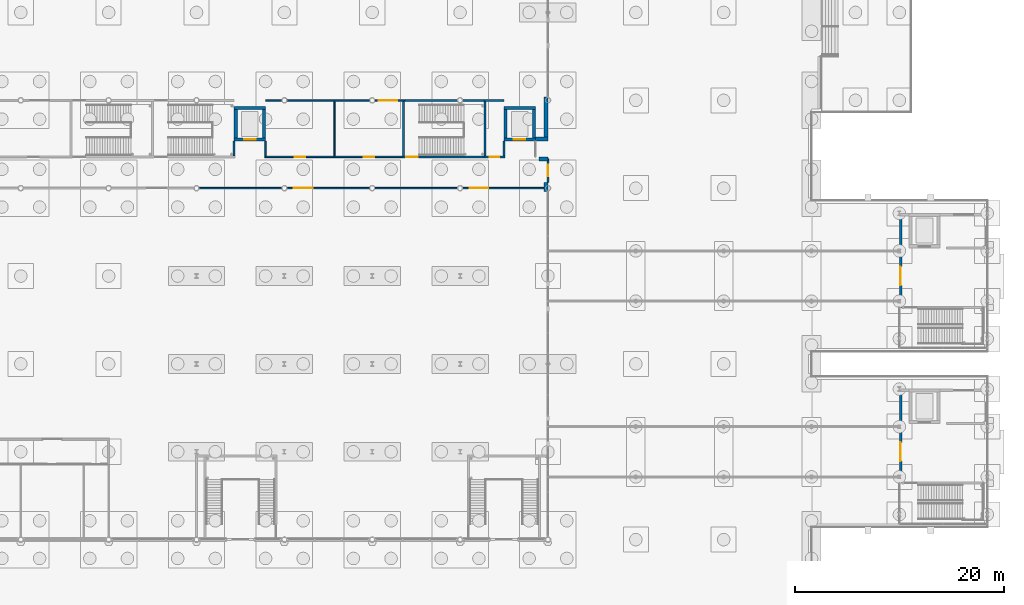
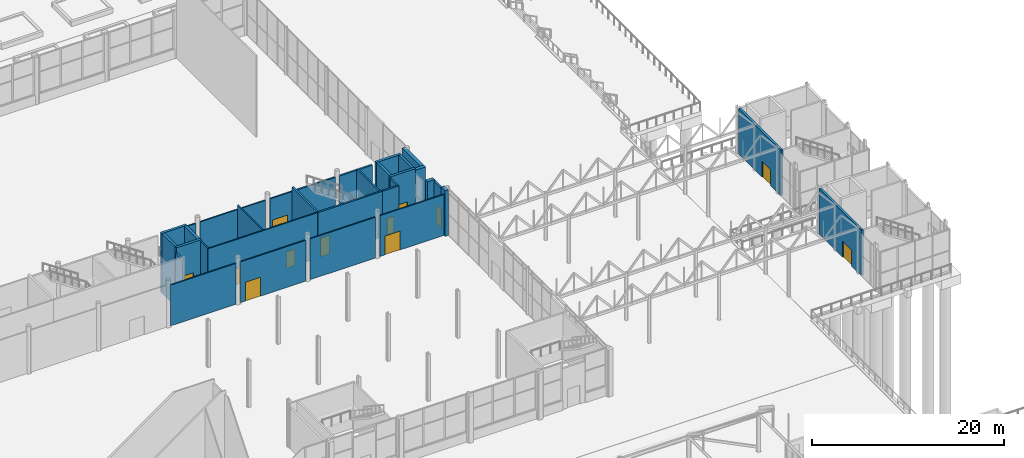
# One storey, part 183 of 212: 34 walls, 12 doors, 12 openings.
"""IFC4 building model written with IfcOpenShell, lengths in metres."""

import ifcopenshell
import ifcopenshell.guid

model = None  # the IFC model being written
_history = None  # IfcOwnerHistory: only IFC2X3 demands one
_inside = {}  # id of a spatial element -> (the spatial element, [elements in it])
_under = {}  # id of a project, library or spatial element -> (it, [spatial elements below it])
_declared = {}  # id of a project -> (the project, [libraries it declares])
_typed = {}  # id of a type object -> (the type object, [elements of that type])
_made_of = {}  # id of a material, layer set ... -> (it, [elements and type objects made of it])


def new_model(schema):
    """Start an empty IFC model of exactly this schema.

    Asked for "IFC4X3", IfcOpenShell would pick the latest addendum, in which some entities
    have other attributes; the version numbers below select the first issue.
    IFC2X3 requires an IfcOwnerHistory on every rooted entity: one is made here for all.
    """
    global model, _history
    if schema == "IFC4X3":
        model = ifcopenshell.file(schema_version=(4, 3, 0, 0))
    else:
        model = ifcopenshell.file(schema=schema)
    _inside.clear()
    _under.clear()
    _declared.clear()
    _typed.clear()
    _made_of.clear()
    _history = None
    if model.schema == "IFC2X3":
        org = make("IfcOrganization", Name="unknown")
        user = make(
            "IfcPersonAndOrganization",
            ThePerson=make("IfcPerson", FamilyName="unknown"),
            TheOrganization=org,
        )
        app = make(
            "IfcApplication",
            ApplicationDeveloper=org,
            Version="unknown",
            ApplicationFullName="unknown",
            ApplicationIdentifier="unknown",
        )
        _history = make(
            "IfcOwnerHistory",
            OwningUser=user,
            OwningApplication=app,
            ChangeAction="ADDED",
            CreationDate=0,
        )
    return model


def make(cls, **values):
    """One entity of the class cls with the attributes given. An attribute that is None is left unset."""
    return model.create_entity(
        cls, **{name: value for name, value in values.items() if value is not None}
    )


def rooted(cls, **values):
    """An entity with a GlobalId (a new one), such as an element, a storey or a relation."""
    return make(cls, GlobalId=ifcopenshell.guid.new(), OwnerHistory=_history, **values)


def si_unit(unit_type, name, prefix=None):
    """IfcSIUnit, for example si_unit("LENGTHUNIT", "METRE", prefix="MILLI")."""
    return make("IfcSIUnit", UnitType=unit_type, Prefix=prefix, Name=name)


def assignment(units):
    """IfcUnitAssignment: the units of a project."""
    return None if units is None else make("IfcUnitAssignment", Units=units)


def point(xyz):
    """IfcCartesianPoint."""
    return None if xyz is None else make("IfcCartesianPoint", Coordinates=xyz)


def direction(xyz):
    """IfcDirection."""
    return None if xyz is None else make("IfcDirection", DirectionRatios=xyz)


def frame(location, z_axis=None, x_axis=None):
    """IfcAxis2Placement3D, a coordinate frame: its origin and axes. An axis left out is left unset."""
    return make(
        "IfcAxis2Placement3D",
        Location=point(location),
        Axis=direction(z_axis),
        RefDirection=direction(x_axis),
    )


def frame_2d(location, x_axis=None):
    """IfcAxis2Placement2D, a coordinate frame in the plane: its origin and x axis."""
    return make(
        "IfcAxis2Placement2D", Location=point(location), RefDirection=direction(x_axis)
    )


def origin():
    """The frame at (0, 0, 0) with its axes left unset."""
    return frame((0.0, 0.0, 0.0))


def place(relative_to, where):
    """IfcLocalPlacement: puts the frame where relative to a parent placement (None: the world)."""
    return make(
        "IfcLocalPlacement", PlacementRelTo=relative_to, RelativePlacement=where
    )


def context(
    kind, dimensions, precision=None, world=None, true_north=None, identifier=None
):
    """IfcGeometricRepresentationContext, for example the 3D "Model" context."""
    return make(
        "IfcGeometricRepresentationContext",
        ContextIdentifier=identifier,
        ContextType=kind,
        CoordinateSpaceDimension=dimensions,
        Precision=precision,
        WorldCoordinateSystem=world,
        TrueNorth=true_north,
    )


def subcontext(parent, identifier, kind, view, scale=None):
    """IfcGeometricRepresentationSubContext, for example "Body" below "Model"."""
    return make(
        "IfcGeometricRepresentationSubContext",
        ContextIdentifier=identifier,
        ContextType=kind,
        ParentContext=parent,
        TargetScale=scale,
        TargetView=view,
    )


def project(units=None, contexts=None):
    """IfcProject with its units and contexts."""
    return rooted(
        "IfcProject",
        Name="project",
        RepresentationContexts=contexts,
        UnitsInContext=assignment(units),
    )


def spatial(cls, under=None, at=None, **own):
    """A site, building, storey or space (cls), placed at a placement, below another one or the project."""
    s = rooted(cls, ObjectPlacement=at, **own)
    if under is not None:
        _under.setdefault(under.id(), (under, []))[1].append(s)
    return s


def profile(cls, at=None, kind="AREA", **sizes):
    """A parametric profile (cls). Its sizes go by their IFC names, for example OverallWidth=200.0."""
    return make(cls, ProfileType=kind, Position=at, **sizes)


def rectangle(**sizes):
    """IfcRectangleProfileDef."""
    return profile("IfcRectangleProfileDef", **sizes)


def extrude(swept, where, along, depth):
    """IfcExtrudedAreaSolid: the profile swept, set in the frame where, extruded along a direction by depth."""
    return make(
        "IfcExtrudedAreaSolid",
        SweptArea=swept,
        Position=where,
        ExtrudedDirection=direction(along),
        Depth=depth,
    )


def shape(context_of_items, identifier, shape_type, items):
    """IfcShapeRepresentation: the items that make up one representation, for example the "Body"."""
    return make(
        "IfcShapeRepresentation",
        ContextOfItems=context_of_items,
        RepresentationIdentifier=identifier,
        RepresentationType=shape_type,
        Items=items,
    )


def material(Name=None, Category=None):
    """IfcMaterial."""
    return make("IfcMaterial", Name=Name, Category=Category)


def layer(
    of_material, thickness, ventilated=None, Name=None, Category=None, Priority=None
):
    """IfcMaterialLayer: one layer of a wall or slab, of a material (None: an air gap)."""
    return make(
        "IfcMaterialLayer",
        Material=of_material,
        LayerThickness=thickness,
        IsVentilated=ventilated,
        Name=Name,
        Category=Category,
        Priority=Priority,
    )


def layer_set(layers, Name=None):
    """IfcMaterialLayerSet."""
    return make("IfcMaterialLayerSet", MaterialLayers=layers, LayerSetName=Name)


def made_of(thing, what):
    """Note that an element or type object is made of a material, layer set ...; save() writes the relation."""
    if what is not None:
        _made_of.setdefault(what.id(), (what, []))[1].append(thing)
    return thing


def type_object(cls, material=None, **own):
    """A type object (cls), such as IfcWallType, which elements share."""
    return made_of(rooted(cls, **own), material)


def element(
    cls,
    number,
    at=None,
    inside=None,
    cuts=None,
    type_object=None,
    material=None,
    context=None,
    identifier="Body",
    shape_type=None,
    held_by="IfcProductDefinitionShape",
    body=None,
    shapes=None,
    **own,
):
    """One element of the class cls, such as IfcWall. Its Tag is "e" and its number.

    at: its placement. inside: the storey or other place that contains it. cuts: it is an
    opening in that element (IfcRelVoidsElement). A single representation is given by context,
    identifier, shape_type and body (its items); several are given by shapes. held_by: the class
    of the entity that holds the representations. save() writes the other relations.
    """
    e = rooted(cls, Tag="e%d" % number, ObjectPlacement=at, **own)
    if body is not None:
        shapes = [shape(context, identifier, shape_type, body)]
    if shapes is not None:
        e.Representation = make(held_by, Representations=shapes)
    if inside is not None:
        _inside.setdefault(inside.id(), (inside, []))[1].append(e)
    if cuts is not None:
        rooted(
            "IfcRelVoidsElement", RelatingBuildingElement=cuts, RelatedOpeningElement=e
        )
    if type_object is not None:
        _typed.setdefault(type_object.id(), (type_object, []))[1].append(e)
    return made_of(e, material)


def fill(opening, filler):
    """IfcRelFillsElement: the door or window that sits in an opening."""
    return rooted(
        "IfcRelFillsElement",
        RelatingOpeningElement=opening,
        RelatedBuildingElement=filler,
    )


def aggregate(whole, parts):
    """IfcRelAggregates: a whole, such as a stair, and the parts it consists of."""
    return rooted("IfcRelAggregates", RelatingObject=whole, RelatedObjects=parts)


def save(model, path):
    """Write the relations noted so far, then the file.

    IfcRelAggregates (storeys below a building ...), IfcRelContainedInSpatialStructure (elements
    in a storey), IfcRelDefinesByType, IfcRelAssociatesMaterial and IfcRelDeclares: one each for
    every whole, place, type object, material and project.
    """
    for whole, parts in _under.values():
        aggregate(whole, parts)
    for where, things in _inside.values():
        rooted(
            "IfcRelContainedInSpatialStructure",
            RelatedElements=things,
            RelatingStructure=where,
        )
    for kind, things in _typed.values():
        rooted("IfcRelDefinesByType", RelatedObjects=things, RelatingType=kind)
    for what, things in _made_of.values():
        rooted("IfcRelAssociatesMaterial", RelatedObjects=things, RelatingMaterial=what)
    for by, libraries in _declared.values():
        rooted("IfcRelDeclares", RelatingContext=by, RelatedDefinitions=libraries)
    model.write(path)


model = new_model("IFC4")

# Units and contexts
model_context = context("Model", 3, precision=1e-05, world=origin(), true_north=direction((0.0, 1.0)))
body_context = subcontext(model_context, "Body", "Model", "MODEL_VIEW")
ifc_project = project(units=[si_unit("LENGTHUNIT", "METRE"), si_unit("AREAUNIT", "SQUARE_METRE"), si_unit("VOLUMEUNIT", "CUBIC_METRE"), si_unit("PLANEANGLEUNIT", "RADIAN"), si_unit("MASSUNIT", "GRAM", prefix="KILO")], contexts=[model_context])

# Site, building, storey
site_placement = place(None, origin())
site = spatial("IfcSite", under=ifc_project, at=site_placement, CompositionType="ELEMENT")
building_placement = place(site_placement, origin())
building = spatial("IfcBuilding", under=site, at=building_placement, Name="Catenary Quay Ferry Terminal", CompositionType="ELEMENT")
storey_placement = place(building_placement, origin())
storey = spatial("IfcBuildingStorey", under=building, at=storey_placement, Name="L00", CompositionType="ELEMENT", Elevation=0.0)

# Wall, opening, door
ifc_material_1 = material(Name="Masonry and insulation", Category="masonry")
ifc_layer_1 = layer(ifc_material_1, 0.25)
ifc_layer_set_1 = layer_set([ifc_layer_1], Name="EW12")
wall_type_1 = type_object("IfcWallType", Name="EW12", PredefinedType="SOLIDWALL", material=ifc_layer_set_1)
wall_1_placement = place(storey_placement, frame((126.125, 72.60009765625, 0.0), z_axis=(0.0, 0.0, 1.0), x_axis=(0.0, 1.0, 0.0)))
wall_1 = element("IfcWall", 1, at=wall_1_placement, inside=storey, type_object=wall_type_1, Name="P9 wall WL164", PredefinedType="SOLIDWALL", context=body_context, shape_type="SweptSolid", body=[
    extrude(rectangle(XDim=8.804931640625, YDim=0.25, at=frame_2d((4.40234375, 0.0))), origin(), (0.0, 0.0, 1.0), 5.800048828125),
])
opening_1_placement = place(wall_1_placement, frame((2.10009765625, 0.0, 0.0)))
opening_1 = element("IfcOpeningElement", 2, at=opening_1_placement, cuts=wall_1, Name="Opening D71", PredefinedType="OPENING", context=body_context, shape_type="SweptSolid", body=[
    extrude(rectangle(XDim=1.800048828125, YDim=2.0, at=frame_2d((0.89990234375, 1.0))), frame((0.0, 0.135009765625, 0.0), z_axis=(0.0, -1.0, 0.0), x_axis=(1.0, 0.0, 0.0)), (0.0, 0.0, 1.0), 0.27001953125),
])
ifc_material_2 = material(Name="Aluminium and glass", Category="aluminium")
door_type_1 = type_object("IfcDoorType", Name="DI11", OperationType="DOUBLE_DOOR_SINGLE_SWING", PredefinedType="DOOR", material=ifc_material_2)
door_1_placement = place(opening_1_placement, frame((1.800048828125, 0.0, 0.0), z_axis=(0.0, 0.0, 1.0), x_axis=(-1.0, 0.0, 0.0)))
door_1 = element("IfcDoor", 3, at=door_1_placement, inside=storey, type_object=door_type_1, Name="Arrivals Arcade 1 to Berth 1 Gangway Lobby", OperationType="DOUBLE_DOOR_SINGLE_SWING", OverallHeight=2.0, OverallWidth=1.800048828125, PredefinedType="DOOR", context=body_context, shape_type="SweptSolid", body=[
    extrude(rectangle(XDim=1.800048828125, YDim=2.0, at=frame_2d((0.89990234375, 1.0))), frame((0.0, 0.02490234375, 0.0), z_axis=(0.0, -1.0, 0.0), x_axis=(1.0, 0.0, 0.0)), (0.0, 0.0, 1.0), 0.050048828125),
])
fill(opening_1, door_1)

wall_2_placement = place(storey_placement, frame((126.125, 89.39990234375, 0.0), z_axis=(0.0, 0.0, 1.0), x_axis=(0.0, 1.0, 0.0)))
wall_2 = element("IfcWall", 4, at=wall_2_placement, inside=storey, type_object=wall_type_1, Name="P10 wall WL165", PredefinedType="SOLIDWALL", context=body_context, shape_type="SweptSolid", body=[
    extrude(rectangle(XDim=8.80517578125, YDim=0.25, at=frame_2d((4.402587890625, 0.0))), origin(), (0.0, 0.0, 1.0), 5.800048828125),
])
opening_2_placement = place(wall_2_placement, frame((2.10009765625, 0.0, 0.0)))
opening_2 = element("IfcOpeningElement", 5, at=opening_2_placement, cuts=wall_2, Name="Opening D73", PredefinedType="OPENING", context=body_context, shape_type="SweptSolid", body=[
    extrude(rectangle(XDim=1.800048828125, YDim=2.0, at=frame_2d((0.89990234375, 1.0))), frame((0.0, 0.135009765625, 0.0), z_axis=(0.0, -1.0, 0.0), x_axis=(1.0, 0.0, 0.0)), (0.0, 0.0, 1.0), 0.27001953125),
])
door_2_placement = place(opening_2_placement, frame((1.800048828125, 0.0, 0.0), z_axis=(0.0, 0.0, 1.0), x_axis=(-1.0, 0.0, 0.0)))
door_2 = element("IfcDoor", 6, at=door_2_placement, inside=storey, type_object=door_type_1, Name="Arrivals Arcade 2 to Berth 2 Gangway Lobby", OperationType="DOUBLE_DOOR_SINGLE_SWING", OverallHeight=2.0, OverallWidth=1.800048828125, PredefinedType="DOOR", context=body_context, shape_type="SweptSolid", body=[
    extrude(rectangle(XDim=1.800048828125, YDim=2.0, at=frame_2d((0.89990234375, 1.0))), frame((0.0, 0.02490234375, 0.0), z_axis=(0.0, -1.0, 0.0), x_axis=(1.0, 0.0, 0.0)), (0.0, 0.0, 1.0), 0.050048828125),
])
fill(opening_2, door_2)

# Walls
ifc_material_3 = material(Name="Masonry and insulation", Category="masonry")
ifc_layer_2 = layer(ifc_material_3, 0.39990234375)
ifc_layer_set_2 = layer_set([ifc_layer_2], Name="EW2")
wall_type_2 = type_object("IfcWallType", Name="EW2", PredefinedType="SOLIDWALL", material=ifc_layer_set_2)
wall_3_placement = place(storey_placement, frame((91.199951171875, 105.5, 0.0), z_axis=(0.0, 0.0, 1.0), x_axis=(1.0, 0.0, 0.0)))
element("IfcWall", 7, at=wall_3_placement, inside=storey, type_object=wall_type_2, Name="P5 wall WL160", PredefinedType="SOLIDWALL", context=body_context, shape_type="SweptSolid", body=[
    extrude(rectangle(XDim=1.199951171875, YDim=0.39990234375, at=frame_2d((0.60009765625, 0.0))), origin(), (0.0, 0.0, 1.0), 5.800048828125),
])
wall_4_placement = place(storey_placement, frame((91.550048828125, 103.60009765625, 0.0), z_axis=(0.0, 0.0, 1.0), x_axis=(1.0, 0.0, 0.0)))
element("IfcWall", 8, at=wall_4_placement, inside=storey, type_object=wall_type_2, Name="P6 wall WL161", PredefinedType="SOLIDWALL", context=body_context, shape_type="SweptSolid", body=[
    extrude(rectangle(XDim=0.849853515625, YDim=0.39990234375, at=frame_2d((0.4248046875, 0.0))), origin(), (0.0, 0.0, 1.0), 5.35009765625),
])
wall_5_placement = place(storey_placement, frame((92.199951171875, 105.699951171875, 0.0), z_axis=(0.0, 0.0, 1.0), x_axis=(0.0, 1.0, 0.0)))
element("IfcWall", 9, at=wall_5_placement, inside=storey, type_object=wall_type_2, Name="P14 wall WL169", PredefinedType="SOLIDWALL", context=body_context, shape_type="SweptSolid", body=[
    extrude(rectangle(XDim=3.800048828125, YDim=0.39990234375, at=frame_2d((1.89990234375, 0.0))), origin(), (0.0, 0.0, 1.0), 5.800048828125),
])
wall_6_placement = place(storey_placement, frame((92.199951171875, 100.5, 0.0), z_axis=(0.0, 0.0, 1.0), x_axis=(0.0, 1.0, 0.0)))
element("IfcWall", 10, at=wall_6_placement, inside=storey, type_object=wall_type_2, Name="P15 wall WL170", PredefinedType="SOLIDWALL", context=body_context, shape_type="SweptSolid", body=[
    extrude(rectangle(XDim=0.85009765625, YDim=0.39990234375, at=frame_2d((0.425048828125, 0.0))), origin(), (0.0, 0.0, 1.0), 5.800048828125),
])

# Wall, opening, door
ifc_material_4 = material(Name="Masonry and insulation", Category="masonry")
ifc_layer_3 = layer(ifc_material_4, 0.199951171875)
ifc_layer_set_3 = layer_set([ifc_layer_3], Name="EW6")
wall_type_3 = type_object("IfcWallType", Name="EW6", PredefinedType="SOLIDWALL", material=ifc_layer_set_3)
wall_7_placement = place(storey_placement, frame((92.39990234375, 101.35009765625, 0.0), z_axis=(0.0, 0.0, 1.0), x_axis=(0.0, 1.0, 0.0)))
wall_7 = element("IfcWall", 11, at=wall_7_placement, inside=storey, type_object=wall_type_3, Name="Front spine corridor wall WL29", PredefinedType="SOLIDWALL", context=body_context, shape_type="SweptSolid", body=[
    extrude(rectangle(XDim=2.2998046875, YDim=0.199951171875, at=frame_2d((1.14990234375, 0.0))), origin(), (0.0, 0.0, 1.0), 5.19775390625),
])
opening_3_placement = place(wall_7_placement, frame((0.60009765625, 0.0, 0.0)))
opening_3 = element("IfcOpeningElement", 12, at=opening_3_placement, cuts=wall_7, Name="Opening D11", PredefinedType="OPENING", context=body_context, shape_type="SweptSolid", body=[
    extrude(rectangle(XDim=1.10009765625, YDim=2.39990234375, at=frame_2d((0.550048828125, 1.199951171875))), frame((0.0, 0.10986328125, 0.0), z_axis=(0.0, -1.0, 0.0), x_axis=(1.0, 0.0, 0.0)), (0.0, 0.0, 1.0), 0.219970703125),
])
ifc_material_5 = material(Name="Steel", Category="steel")
door_type_2 = type_object("IfcDoorType", Name="DXE1100", OperationType="SINGLE_SWING_LEFT", PredefinedType="DOOR", material=ifc_material_5)
door_3_placement = place(opening_3_placement, frame((1.10009765625, 0.0, 0.0), z_axis=(0.0, 0.0, 1.0), x_axis=(-1.0, 0.0, 0.0)))
door_3 = element("IfcDoor", 13, at=door_3_placement, inside=storey, type_object=door_type_2, Name="Front spine corridor door D11", OperationType="SINGLE_SWING_RIGHT", OverallHeight=2.39990234375, OverallWidth=1.10009765625, PredefinedType="DOOR", context=body_context, shape_type="SweptSolid", body=[
    extrude(rectangle(XDim=1.10009765625, YDim=2.39990234375, at=frame_2d((0.550048828125, 1.199951171875))), frame((0.0, 0.02490234375, 0.0), z_axis=(0.0, -1.0, 0.0), x_axis=(1.0, 0.0, 0.0)), (0.0, 0.0, 1.0), 0.050048828125),
])
fill(opening_3, door_3)

# Wall
ifc_material_6 = material(Name="Plasterboard on steel studs", Category="steel")
ifc_layer_4 = layer(ifc_material_6, 0.14990234375)
ifc_layer_set_4 = layer_set([ifc_layer_4], Name="IP3")
wall_type_4 = type_object("IfcWallType", Name="IP3", PredefinedType="PARTITIONING", material=ifc_layer_set_4)
wall_8_placement = place(storey_placement, frame((59.053955078125, 100.800048828125, 0.0), z_axis=(0.0, 0.0, 1.0), x_axis=(1.0, 0.0, 0.0)))
element("IfcWall", 14, at=wall_8_placement, inside=storey, type_object=wall_type_4, Name="Partition L00 15", PredefinedType="PARTITIONING", context=body_context, shape_type="SweptSolid", body=[
    extrude(rectangle(XDim=7.89208984375, YDim=0.14990234375, at=frame_2d((3.946044921875, 0.0))), origin(), (0.0, 0.0, 1.0), 5.19775390625),
])

# Wall, opening, door
wall_9_placement = place(storey_placement, frame((67.4541015625, 100.800048828125, 0.0), z_axis=(0.0, 0.0, 1.0), x_axis=(1.0, 0.0, 0.0)))
wall_9 = element("IfcWall", 15, at=wall_9_placement, inside=storey, type_object=wall_type_4, Name="Partition L00 16", PredefinedType="PARTITIONING", context=body_context, shape_type="SweptSolid", body=[
    extrude(rectangle(XDim=7.891845703125, YDim=0.14990234375, at=frame_2d((3.94580078125, 0.0))), origin(), (0.0, 0.0, 1.0), 5.19775390625),
])
opening_4_placement = place(wall_9_placement, frame((0.64599609375, 0.0, 0.0)))
opening_4 = element("IfcOpeningElement", 16, at=opening_4_placement, cuts=wall_9, Name="Opening D62", PredefinedType="OPENING", context=body_context, shape_type="SweptSolid", body=[
    extrude(rectangle(XDim=1.800048828125, YDim=2.39990234375, at=frame_2d((0.89990234375, 1.199951171875))), frame((0.0, 0.0849609375, 0.0), z_axis=(0.0, -1.0, 0.0), x_axis=(1.0, 0.0, 0.0)), (0.0, 0.0, 1.0), 0.169921875),
])
ifc_material_7 = material(Name="Aluminium and glass", Category="aluminium")
door_type_3 = type_object("IfcDoorType", Name="DI6", OperationType="DOUBLE_DOOR_SINGLE_SWING", PredefinedType="DOOR", material=ifc_material_7)
door_4_placement = place(opening_4_placement, origin())
door_4 = element("IfcDoor", 17, at=door_4_placement, inside=storey, type_object=door_type_3, Name="Terminal Spine Corridor to Arrivals Baggage Claim", OperationType="DOUBLE_DOOR_SINGLE_SWING", OverallHeight=2.39990234375, OverallWidth=1.800048828125, PredefinedType="DOOR", context=body_context, shape_type="SweptSolid", body=[
    extrude(rectangle(XDim=1.800048828125, YDim=2.39990234375, at=frame_2d((0.89990234375, 1.199951171875))), frame((0.0, 0.02490234375, 0.0), z_axis=(0.0, -1.0, 0.0), x_axis=(1.0, 0.0, 0.0)), (0.0, 0.0, 1.0), 0.050048828125),
])
fill(opening_4, door_4)

# Wall
wall_10_placement = place(storey_placement, frame((75.85400390625, 100.800048828125, 0.0), z_axis=(0.0, 0.0, 1.0), x_axis=(1.0, 0.0, 0.0)))
element("IfcWall", 18, at=wall_10_placement, inside=storey, type_object=wall_type_4, Name="Partition L00 17", PredefinedType="PARTITIONING", context=body_context, shape_type="SweptSolid", body=[
    extrude(rectangle(XDim=7.89208984375, YDim=0.14990234375, at=frame_2d((3.946044921875, 0.0))), origin(), (0.0, 0.0, 1.0), 5.19775390625),
])

# Wall, opening, door
wall_11_placement = place(storey_placement, frame((84.25390625, 100.800048828125, 0.0), z_axis=(0.0, 0.0, 1.0), x_axis=(1.0, 0.0, 0.0)))
wall_11 = element("IfcWall", 19, at=wall_11_placement, inside=storey, type_object=wall_type_4, Name="Partition L00 18", PredefinedType="PARTITIONING", context=body_context, shape_type="SweptSolid", body=[
    extrude(rectangle(XDim=7.74609375, YDim=0.14990234375, at=frame_2d((3.873046875, 0.0))), origin(), (0.0, 0.0, 1.0), 5.19775390625),
])
opening_5_placement = place(wall_11_placement, frame((0.64599609375, 0.0, 0.0)))
opening_5 = element("IfcOpeningElement", 20, at=opening_5_placement, cuts=wall_11, Name="Opening D63", PredefinedType="OPENING", context=body_context, shape_type="SweptSolid", body=[
    extrude(rectangle(XDim=1.800048828125, YDim=2.39990234375, at=frame_2d((0.89990234375, 1.199951171875))), frame((0.0, 0.0849609375, 0.0), z_axis=(0.0, -1.0, 0.0), x_axis=(1.0, 0.0, 0.0)), (0.0, 0.0, 1.0), 0.169921875),
])
door_5_placement = place(opening_5_placement, origin())
door_5 = element("IfcDoor", 21, at=door_5_placement, inside=storey, type_object=door_type_3, Name="Terminal Spine Corridor to Immigration and Customs", OperationType="DOUBLE_DOOR_SINGLE_SWING", OverallHeight=2.39990234375, OverallWidth=1.800048828125, PredefinedType="DOOR", context=body_context, shape_type="SweptSolid", body=[
    extrude(rectangle(XDim=1.800048828125, YDim=2.39990234375, at=frame_2d((0.89990234375, 1.199951171875))), frame((0.0, 0.02490234375, 0.0), z_axis=(0.0, -1.0, 0.0), x_axis=(1.0, 0.0, 0.0)), (0.0, 0.0, 1.0), 0.050048828125),
])
fill(opening_5, door_5)

# Wall, openings, doors
wall_12_placement = place(storey_placement, frame((65.324951171875, 103.800048828125, 0.0), z_axis=(0.0, 0.0, 1.0), x_axis=(1.0, 0.0, 0.0)))
wall_12 = element("IfcWall", 22, at=wall_12_placement, inside=storey, type_object=wall_type_4, Name="Partition L00 23", PredefinedType="PARTITIONING", context=body_context, shape_type="SweptSolid", body=[
    extrude(rectangle(XDim=13.375, YDim=0.14990234375, at=frame_2d((6.6875, 0.0))), origin(), (0.0, 0.0, 1.0), 5.800048828125),
])
opening_6_placement = place(wall_12_placement, frame((2.875, 0.0, 0.0)))
opening_6 = element("IfcOpeningElement", 23, at=opening_6_placement, cuts=wall_12, Name="Opening D56", PredefinedType="OPENING", context=body_context, shape_type="SweptSolid", body=[
    extrude(rectangle(XDim=1.0, YDim=2.10009765625, at=frame_2d((0.5, 1.050048828125))), frame((0.0, 0.0849609375, 0.0), z_axis=(0.0, -1.0, 0.0), x_axis=(1.0, 0.0, 0.0)), (0.0, 0.0, 1.0), 0.169921875),
])
opening_7_placement = place(wall_12_placement, frame((9.47509765625, 0.0, 0.0)))
opening_7 = element("IfcOpeningElement", 24, at=opening_7_placement, cuts=wall_12, Name="Opening D57", PredefinedType="OPENING", context=body_context, shape_type="SweptSolid", body=[
    extrude(rectangle(XDim=1.0, YDim=2.10009765625, at=frame_2d((0.5, 1.050048828125))), frame((0.0, 0.0849609375, 0.0), z_axis=(0.0, -1.0, 0.0), x_axis=(1.0, 0.0, 0.0)), (0.0, 0.0, 1.0), 0.169921875),
])
ifc_material_8 = material(Name="Timber", Category="wood")
door_type_4 = type_object("IfcDoorType", Name="DI7", OperationType="SINGLE_SWING_LEFT", PredefinedType="DOOR", material=ifc_material_8)
door_6_placement = place(opening_6_placement, origin())
door_6 = element("IfcDoor", 25, at=door_6_placement, inside=storey, type_object=door_type_4, Name="Customs Inspection Room to Terminal Spine Corridor", OperationType="SINGLE_SWING_LEFT", OverallHeight=2.10009765625, OverallWidth=1.0, PredefinedType="DOOR", context=body_context, shape_type="SweptSolid", body=[
    extrude(rectangle(XDim=1.0, YDim=2.10009765625, at=frame_2d((0.5, 1.050048828125))), frame((0.0, 0.02490234375, 0.0), z_axis=(0.0, -1.0, 0.0), x_axis=(1.0, 0.0, 0.0)), (0.0, 0.0, 1.0), 0.050048828125),
])
fill(opening_6, door_6)
door_7_placement = place(opening_7_placement, origin())
door_7 = element("IfcDoor", 26, at=door_7_placement, inside=storey, type_object=door_type_4, Name="Security Search Room to Terminal Spine Corridor", OperationType="SINGLE_SWING_LEFT", OverallHeight=2.10009765625, OverallWidth=1.0, PredefinedType="DOOR", context=body_context, shape_type="SweptSolid", body=[
    extrude(rectangle(XDim=1.0, YDim=2.10009765625, at=frame_2d((0.5, 1.050048828125))), frame((0.0, 0.02490234375, 0.0), z_axis=(0.0, -1.0, 0.0), x_axis=(1.0, 0.0, 0.0)), (0.0, 0.0, 1.0), 0.050048828125),
])
fill(opening_7, door_7)

# Wall
wall_13_placement = place(storey_placement, frame((65.39990234375, 103.875, 0.0), z_axis=(0.0, 0.0, 1.0), x_axis=(0.0, 1.0, 0.0)))
element("IfcWall", 27, at=wall_13_placement, inside=storey, type_object=wall_type_4, Name="Partition L00 107", PredefinedType="PARTITIONING", context=body_context, shape_type="SweptSolid", body=[
    extrude(rectangle(XDim=1.425048828125, YDim=0.14990234375, at=frame_2d((0.71240234375, 0.0))), origin(), (0.0, 0.0, 1.0), 5.800048828125),
])

# Wall, opening, door
ifc_material_9 = material(Name="Blockwork and plaster", Category="masonry")
ifc_layer_5 = layer(ifc_material_9, 0.199951171875)
ifc_layer_set_5 = layer_set([ifc_layer_5], Name="IP4")
wall_type_5 = type_object("IfcWallType", Name="IP4", PredefinedType="PARTITIONING", material=ifc_layer_set_5)
wall_14_placement = place(storey_placement, frame((78.5, 103.800048828125, 0.0), z_axis=(0.0, 0.0, 1.0), x_axis=(1.0, 0.0, 0.0)))
wall_14 = element("IfcWall", 28, at=wall_14_placement, inside=storey, type_object=wall_type_5, Name="Partition L00 24", PredefinedType="PARTITIONING", context=body_context, shape_type="SweptSolid", body=[
    extrude(rectangle(XDim=8.0, YDim=0.199951171875, at=frame_2d((4.0, 0.0))), origin(), (0.0, 0.0, 1.0), 5.800048828125),
])
opening_8_placement = place(wall_14_placement, frame((0.35009765625, 0.0, 0.0)))
opening_8 = element("IfcOpeningElement", 29, at=opening_8_placement, cuts=wall_14, Name="Opening D58", PredefinedType="OPENING", context=body_context, shape_type="SweptSolid", body=[
    extrude(rectangle(XDim=1.10009765625, YDim=2.39990234375, at=frame_2d((0.550048828125, 1.199951171875))), frame((0.0, 0.10986328125, 0.0), z_axis=(0.0, -1.0, 0.0), x_axis=(1.0, 0.0, 0.0)), (0.0, 0.0, 1.0), 0.219970703125),
])
ifc_material_10 = material(Name="Steel", Category="steel")
door_type_5 = type_object("IfcDoorType", Name="DI4", OperationType="SINGLE_SWING_LEFT", PredefinedType="DOOR", material=ifc_material_10)
door_8_placement = place(opening_8_placement, origin())
door_8 = element("IfcDoor", 30, at=door_8_placement, inside=storey, type_object=door_type_5, Name="Stair TS3 to Terminal Spine Corridor", OperationType="SINGLE_SWING_LEFT", OverallHeight=2.39990234375, OverallWidth=1.10009765625, PredefinedType="DOOR", context=body_context, shape_type="SweptSolid", body=[
    extrude(rectangle(XDim=1.10009765625, YDim=2.39990234375, at=frame_2d((0.550048828125, 1.199951171875))), frame((0.0, 0.02490234375, 0.0), z_axis=(0.0, -1.0, 0.0), x_axis=(1.0, 0.0, 0.0)), (0.0, 0.0, 1.0), 0.050048828125),
])
fill(opening_8, door_8)

# Walls
wall_15_placement = place(storey_placement, frame((78.5, 109.199951171875, 0.0), z_axis=(0.0, 0.0, 1.0), x_axis=(1.0, 0.0, 0.0)))
element("IfcWall", 31, at=wall_15_placement, inside=storey, type_object=wall_type_5, Name="Partition L00 36", PredefinedType="PARTITIONING", context=body_context, shape_type="SweptSolid", body=[
    extrude(rectangle(XDim=5.24609375, YDim=0.199951171875, at=frame_2d((2.623046875, 0.0))), origin(), (0.0, 0.0, 1.0), 5.19775390625),
])
wall_16_placement = place(storey_placement, frame((84.25390625, 109.199951171875, 0.0), z_axis=(0.0, 0.0, 1.0), x_axis=(1.0, 0.0, 0.0)))
element("IfcWall", 32, at=wall_16_placement, inside=storey, type_object=wall_type_5, Name="Partition L00 37", PredefinedType="PARTITIONING", context=body_context, shape_type="SweptSolid", body=[
    extrude(rectangle(XDim=2.24609375, YDim=0.199951171875, at=frame_2d((1.123046875, 0.0))), origin(), (0.0, 0.0, 1.0), 5.19775390625),
])
wall_17_placement = place(storey_placement, frame((62.39990234375, 103.89990234375, 0.0), z_axis=(0.0, 0.0, 1.0), x_axis=(0.0, 1.0, 0.0)))
element("IfcWall", 33, at=wall_17_placement, inside=storey, type_object=wall_type_5, Name="Partition L00 103", PredefinedType="PARTITIONING", context=body_context, shape_type="SweptSolid", body=[
    extrude(rectangle(XDim=1.400146484375, YDim=0.199951171875, at=frame_2d((0.7001953125, 0.0))), origin(), (0.0, 0.0, 1.0), 5.34619140625),
])
wall_18_placement = place(storey_placement, frame((78.60009765625, 103.89990234375, 0.0), z_axis=(0.0, 0.0, 1.0), x_axis=(0.0, 1.0, 0.0)))
element("IfcWall", 34, at=wall_18_placement, inside=storey, type_object=wall_type_5, Name="Partition L00 110", PredefinedType="PARTITIONING", context=body_context, shape_type="SweptSolid", body=[
    extrude(rectangle(XDim=5.2001953125, YDim=0.199951171875, at=frame_2d((2.60009765625, 0.0))), origin(), (0.0, 0.0, 1.0), 5.800048828125),
])
wall_19_placement = place(storey_placement, frame((86.39990234375, 103.89990234375, 0.0), z_axis=(0.0, 0.0, 1.0), x_axis=(0.0, 1.0, 0.0)))
element("IfcWall", 35, at=wall_19_placement, inside=storey, type_object=wall_type_5, Name="Partition L00 113", PredefinedType="PARTITIONING", context=body_context, shape_type="SweptSolid", body=[
    extrude(rectangle(XDim=5.2001953125, YDim=0.199951171875, at=frame_2d((2.60009765625, 0.0))), origin(), (0.0, 0.0, 1.0), 5.34619140625),
])

# Wall, opening, door
ifc_material_11 = material(Name="Blockwork and plaster", Category="masonry")
ifc_layer_6 = layer(ifc_material_11, 0.199951171875)
ifc_layer_set_6 = layer_set([ifc_layer_6], Name="IP6")
wall_type_6 = type_object("IfcWallType", Name="IP6", PredefinedType="PARTITIONING", material=ifc_layer_set_6)
wall_20_placement = place(storey_placement, frame((86.300048828125, 103.800048828125, 0.0), z_axis=(0.0, 0.0, 1.0), x_axis=(1.0, 0.0, 0.0)))
wall_20 = element("IfcWall", 36, at=wall_20_placement, inside=storey, type_object=wall_type_6, Name="Partition L00 25", PredefinedType="PARTITIONING", context=body_context, shape_type="SweptSolid", body=[
    extrude(rectangle(XDim=2.0, YDim=0.199951171875, at=frame_2d((1.0, 0.0))), origin(), (0.0, 0.0, 1.0), 5.800048828125),
])
opening_9_placement = place(wall_20_placement, frame((0.550048828125, 0.0, 0.0)))
opening_9 = element("IfcOpeningElement", 37, at=opening_9_placement, cuts=wall_20, Name="Opening D59", PredefinedType="OPENING", context=body_context, shape_type="SweptSolid", body=[
    extrude(rectangle(XDim=0.89990234375, YDim=2.10009765625, at=frame_2d((0.449951171875, 1.050048828125))), frame((0.0, 0.10986328125, 0.0), z_axis=(0.0, -1.0, 0.0), x_axis=(1.0, 0.0, 0.0)), (0.0, 0.0, 1.0), 0.219970703125),
])
ifc_material_12 = material(Name="Steel", Category="steel")
door_type_6 = type_object("IfcDoorType", Name="DI9", OperationType="SINGLE_SWING_LEFT", PredefinedType="DOOR", material=ifc_material_12)
door_9_placement = place(opening_9_placement, origin())
door_9 = element("IfcDoor", 38, at=door_9_placement, inside=storey, type_object=door_type_6, Name="Terminal Electrical Room to Terminal Spine Corridor", OperationType="SINGLE_SWING_LEFT", OverallHeight=2.10009765625, OverallWidth=0.89990234375, PredefinedType="DOOR", context=body_context, shape_type="SweptSolid", body=[
    extrude(rectangle(XDim=0.89990234375, YDim=2.10009765625, at=frame_2d((0.449951171875, 1.050048828125))), frame((0.0, 0.02490234375, 0.0), z_axis=(0.0, -1.0, 0.0), x_axis=(1.0, 0.0, 0.0)), (0.0, 0.0, 1.0), 0.050048828125),
])
fill(opening_9, door_9)

# Walls
wall_21_placement = place(storey_placement, frame((86.300048828125, 109.199951171875, 0.0), z_axis=(0.0, 0.0, 1.0), x_axis=(1.0, 0.0, 0.0)))
element("IfcWall", 39, at=wall_21_placement, inside=storey, type_object=wall_type_6, Name="Partition L00 38", PredefinedType="PARTITIONING", context=body_context, shape_type="SweptSolid", body=[
    extrude(rectangle(XDim=1.89990234375, YDim=0.199951171875, at=frame_2d((0.949951171875, 0.0))), origin(), (0.0, 0.0, 1.0), 5.19775390625),
])
wall_22_placement = place(storey_placement, frame((88.199951171875, 103.89990234375, 0.0), z_axis=(0.0, 0.0, 1.0), x_axis=(0.0, 1.0, 0.0)))
element("IfcWall", 40, at=wall_22_placement, inside=storey, type_object=wall_type_6, Name="Partition L00 114", PredefinedType="PARTITIONING", context=body_context, shape_type="SweptSolid", body=[
    extrude(rectangle(XDim=1.400146484375, YDim=0.199951171875, at=frame_2d((0.7001953125, 0.0))), origin(), (0.0, 0.0, 1.0), 5.800048828125),
])
ifc_material_13 = material(Name="Plasterboard on steel studs", Category="steel")
ifc_layer_7 = layer(ifc_material_13, 0.14990234375)
ifc_layer_set_7 = layer_set([ifc_layer_7], Name="IP7")
wall_type_7 = type_object("IfcWallType", Name="IP7", PredefinedType="PARTITIONING", material=ifc_layer_set_7)
wall_23_placement = place(storey_placement, frame((65.39990234375, 109.199951171875, 0.0), z_axis=(0.0, 0.0, 1.0), x_axis=(1.0, 0.0, 0.0)))
element("IfcWall", 41, at=wall_23_placement, inside=storey, type_object=wall_type_7, Name="Partition L00 33", PredefinedType="PARTITIONING", context=body_context, shape_type="SweptSolid", body=[
    extrude(rectangle(XDim=1.546142578125, YDim=0.14990234375, at=frame_2d((0.77294921875, 0.0))), origin(), (0.0, 0.0, 1.0), 5.19775390625),
])
wall_24_placement = place(storey_placement, frame((67.4541015625, 109.199951171875, 0.0), z_axis=(0.0, 0.0, 1.0), x_axis=(1.0, 0.0, 0.0)))
element("IfcWall", 42, at=wall_24_placement, inside=storey, type_object=wall_type_7, Name="Partition L00 34", PredefinedType="PARTITIONING", context=body_context, shape_type="SweptSolid", body=[
    extrude(rectangle(XDim=7.891845703125, YDim=0.14990234375, at=frame_2d((3.94580078125, 0.0))), origin(), (0.0, 0.0, 1.0), 5.19775390625),
])

# Wall, opening, door
wall_25_placement = place(storey_placement, frame((75.85400390625, 109.199951171875, 0.0), z_axis=(0.0, 0.0, 1.0), x_axis=(1.0, 0.0, 0.0)))
wall_25 = element("IfcWall", 43, at=wall_25_placement, inside=storey, type_object=wall_type_7, Name="Partition L00 35", PredefinedType="PARTITIONING", context=body_context, shape_type="SweptSolid", body=[
    extrude(rectangle(XDim=2.845947265625, YDim=0.14990234375, at=frame_2d((1.4228515625, 0.0))), origin(), (0.0, 0.0, 1.0), 5.19775390625),
])
opening_10_placement = place(wall_25_placement, frame((0.345947265625, 0.0, 0.0)))
opening_10 = element("IfcOpeningElement", 44, at=opening_10_placement, cuts=wall_25, Name="Opening D67", PredefinedType="OPENING", context=body_context, shape_type="SweptSolid", body=[
    extrude(rectangle(XDim=1.800048828125, YDim=2.39990234375, at=frame_2d((0.89990234375, 1.199951171875))), frame((0.0, 0.0849609375, 0.0), z_axis=(0.0, -1.0, 0.0), x_axis=(1.0, 0.0, 0.0)), (0.0, 0.0, 1.0), 0.169921875),
])
door_10_placement = place(opening_10_placement, origin())
door_10 = element("IfcDoor", 45, at=door_10_placement, inside=storey, type_object=door_type_3, Name="Security Search Room to Security Screening", OperationType="DOUBLE_DOOR_SINGLE_SWING", OverallHeight=2.39990234375, OverallWidth=1.800048828125, PredefinedType="DOOR", context=body_context, shape_type="SweptSolid", body=[
    extrude(rectangle(XDim=1.800048828125, YDim=2.39990234375, at=frame_2d((0.89990234375, 1.199951171875))), frame((0.0, 0.02490234375, 0.0), z_axis=(0.0, -1.0, 0.0), x_axis=(1.0, 0.0, 0.0)), (0.0, 0.0, 1.0), 0.050048828125),
])
fill(opening_10, door_10)

# Wall
ifc_material_14 = material(Name="Plasterboard on steel studs", Category="steel")
ifc_layer_8 = layer(ifc_material_14, 0.125)
ifc_layer_set_8 = layer_set([ifc_layer_8], Name="IP9")
wall_type_8 = type_object("IfcWallType", Name="IP9", PredefinedType="PARTITIONING", material=ifc_layer_set_8)
wall_26_placement = place(storey_placement, frame((72.0, 103.875, 0.0), z_axis=(0.0, 0.0, 1.0), x_axis=(0.0, 1.0, 0.0)))
element("IfcWall", 46, at=wall_26_placement, inside=storey, type_object=wall_type_8, Name="Partition L00 109", PredefinedType="PARTITIONING", context=body_context, shape_type="SweptSolid", body=[
    extrude(rectangle(XDim=5.25, YDim=0.125, at=frame_2d((2.625, 0.0))), origin(), (0.0, 0.0, 1.0), 5.800048828125),
])

# Wall, opening, door
ifc_material_15 = material(Name="Concrete C50/60", Category="concrete")
ifc_layer_9 = layer(ifc_material_15, 0.300048828125)
ifc_layer_set_9 = layer_set([ifc_layer_9], Name="Shaft wall 300")
wall_type_9 = type_object("IfcWallType", Name="Shaft wall 300", PredefinedType="SHEAR", material=ifc_layer_set_9)
wall_27_placement = place(storey_placement, frame((62.39990234375, 105.449951171875, -1.60009765625), z_axis=(0.0, 0.0, 1.0), x_axis=(1.0, 0.0, 0.0)))
wall_27 = element("IfcWall", 47, at=wall_27_placement, inside=storey, type_object=wall_type_9, Name="Shaft wall TL2 S", PredefinedType="SHEAR", context=body_context, shape_type="SweptSolid", body=[
    extrude(rectangle(XDim=3.0, YDim=0.300048828125, at=frame_2d((1.5, 0.0))), origin(), (0.0, 0.0, 1.0), 7.60009765625),
])
opening_11_placement = place(wall_27_placement, frame((0.949951171875, 0.0, 1.60009765625)))
opening_11 = element("IfcOpeningElement", 48, at=opening_11_placement, cuts=wall_27, Name="Opening LD37", PredefinedType="OPENING", context=body_context, shape_type="SweptSolid", body=[
    extrude(rectangle(XDim=1.10009765625, YDim=2.10009765625, at=frame_2d((0.550048828125, 1.050048828125))), frame((0.0, 0.159912109375, 0.0), z_axis=(0.0, -1.0, 0.0), x_axis=(1.0, 0.0, 0.0)), (0.0, 0.0, 1.0), 0.320068359375),
])
ifc_material_16 = material(Name="Stainless steel", Category="steel")
door_type_7 = type_object("IfcDoorType", Name="DL1", OperationType="SLIDING_TO_LEFT", PredefinedType="DOOR", material=ifc_material_16)
door_11_placement = place(opening_11_placement, origin())
door_11 = element("IfcDoor", 49, at=door_11_placement, inside=storey, type_object=door_type_7, Name="Lift TL2 landing door L00", OperationType="SLIDING_TO_LEFT", OverallHeight=2.10009765625, OverallWidth=1.10009765625, PredefinedType="DOOR", context=body_context, shape_type="SweptSolid", body=[
    extrude(rectangle(XDim=1.10009765625, YDim=2.10009765625, at=frame_2d((0.550048828125, 1.050048828125))), frame((0.0, 0.02490234375, 0.0), z_axis=(0.0, -1.0, 0.0), x_axis=(1.0, 0.0, 0.0)), (0.0, 0.0, 1.0), 0.050048828125),
])
fill(opening_11, door_11)

# Walls
for number, where, z_axis, x_axis, name in (
    (50, (65.25, 105.60009765625, -1.60009765625), (0.0, 0.0, 1.0), (0.0, 1.0, 0.0), "Shaft wall TL2 E"),
    (51, (62.550048828125, 105.60009765625, -1.60009765625), (0.0, 0.0, 1.0), (0.0, 1.0, 0.0), "Shaft wall TL2 W"),
):
    element("IfcWall", number, at=place(storey_placement, frame(where, z_axis=z_axis, x_axis=x_axis)), inside=storey, type_object=wall_type_9, Name=name, PredefinedType="SHEAR", context=body_context, shape_type="SweptSolid", body=[
        extrude(rectangle(XDim=2.699951171875, YDim=0.300048828125, at=frame_2d((1.35009765625, 0.0))), origin(), (0.0, 0.0, 1.0), 7.60009765625),
    ])
wall_28_placement = place(storey_placement, frame((62.39990234375, 108.449951171875, -1.60009765625), z_axis=(0.0, 0.0, 1.0), x_axis=(1.0, 0.0, 0.0)))
element("IfcWall", 52, at=wall_28_placement, inside=storey, type_object=wall_type_9, Name="Shaft wall TL2 N", PredefinedType="SHEAR", context=body_context, shape_type="SweptSolid", body=[
    extrude(rectangle(XDim=3.0, YDim=0.300048828125, at=frame_2d((1.5, 0.0))), origin(), (0.0, 0.0, 1.0), 7.60009765625),
])

# Wall, opening, door
wall_29_placement = place(storey_placement, frame((88.199951171875, 105.449951171875, -1.60009765625), z_axis=(0.0, 0.0, 1.0), x_axis=(1.0, 0.0, 0.0)))
wall_29 = element("IfcWall", 53, at=wall_29_placement, inside=storey, type_object=wall_type_9, Name="Shaft wall TL3 S", PredefinedType="SHEAR", context=body_context, shape_type="SweptSolid", body=[
    extrude(rectangle(XDim=3.0, YDim=0.300048828125, at=frame_2d((1.5, 0.0))), origin(), (0.0, 0.0, 1.0), 7.60009765625),
])
opening_12_placement = place(wall_29_placement, frame((0.949951171875, 0.0, 1.60009765625)))
opening_12 = element("IfcOpeningElement", 54, at=opening_12_placement, cuts=wall_29, Name="Opening LD39", PredefinedType="OPENING", context=body_context, shape_type="SweptSolid", body=[
    extrude(rectangle(XDim=1.10009765625, YDim=2.10009765625, at=frame_2d((0.550048828125, 1.050048828125))), frame((0.0, 0.159912109375, 0.0), z_axis=(0.0, -1.0, 0.0), x_axis=(1.0, 0.0, 0.0)), (0.0, 0.0, 1.0), 0.320068359375),
])
door_12_placement = place(opening_12_placement, origin())
door_12 = element("IfcDoor", 55, at=door_12_placement, inside=storey, type_object=door_type_7, Name="Lift TL3 landing door L00", OperationType="SLIDING_TO_LEFT", OverallHeight=2.10009765625, OverallWidth=1.10009765625, PredefinedType="DOOR", context=body_context, shape_type="SweptSolid", body=[
    extrude(rectangle(XDim=1.10009765625, YDim=2.10009765625, at=frame_2d((0.550048828125, 1.050048828125))), frame((0.0, 0.02490234375, 0.0), z_axis=(0.0, -1.0, 0.0), x_axis=(1.0, 0.0, 0.0)), (0.0, 0.0, 1.0), 0.050048828125),
])
fill(opening_12, door_12)

# Walls
for number, where, z_axis, x_axis, name in (
    (56, (91.050048828125, 105.60009765625, -1.60009765625), (0.0, 0.0, 1.0), (0.0, 1.0, 0.0), "Shaft wall TL3 E"),
    (57, (88.35009765625, 105.60009765625, -1.60009765625), (0.0, 0.0, 1.0), (0.0, 1.0, 0.0), "Shaft wall TL3 W"),
):
    element("IfcWall", number, at=place(storey_placement, frame(where, z_axis=z_axis, x_axis=x_axis)), inside=storey, type_object=wall_type_9, Name=name, PredefinedType="SHEAR", context=body_context, shape_type="SweptSolid", body=[
        extrude(rectangle(XDim=2.699951171875, YDim=0.300048828125, at=frame_2d((1.35009765625, 0.0))), origin(), (0.0, 0.0, 1.0), 7.60009765625),
    ])
wall_30_placement = place(storey_placement, frame((88.199951171875, 108.449951171875, -1.60009765625), z_axis=(0.0, 0.0, 1.0), x_axis=(1.0, 0.0, 0.0)))
element("IfcWall", 58, at=wall_30_placement, inside=storey, type_object=wall_type_9, Name="Shaft wall TL3 N", PredefinedType="SHEAR", context=body_context, shape_type="SweptSolid", body=[
    extrude(rectangle(XDim=3.0, YDim=0.300048828125, at=frame_2d((1.5, 0.0))), origin(), (0.0, 0.0, 1.0), 7.60009765625),
])

save(model, "model.ifc")
